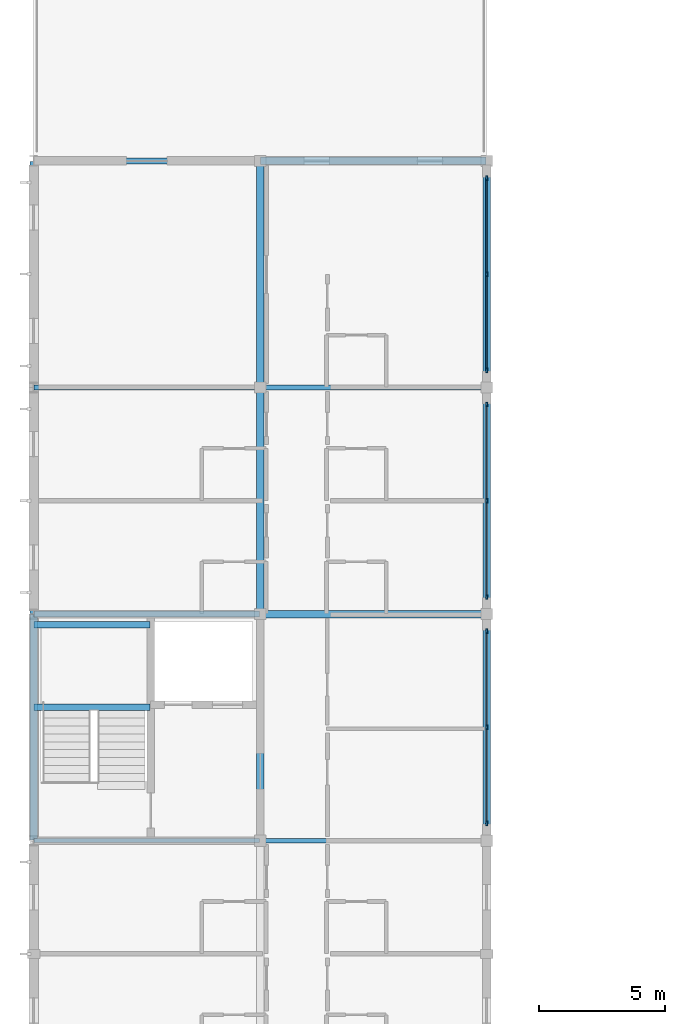
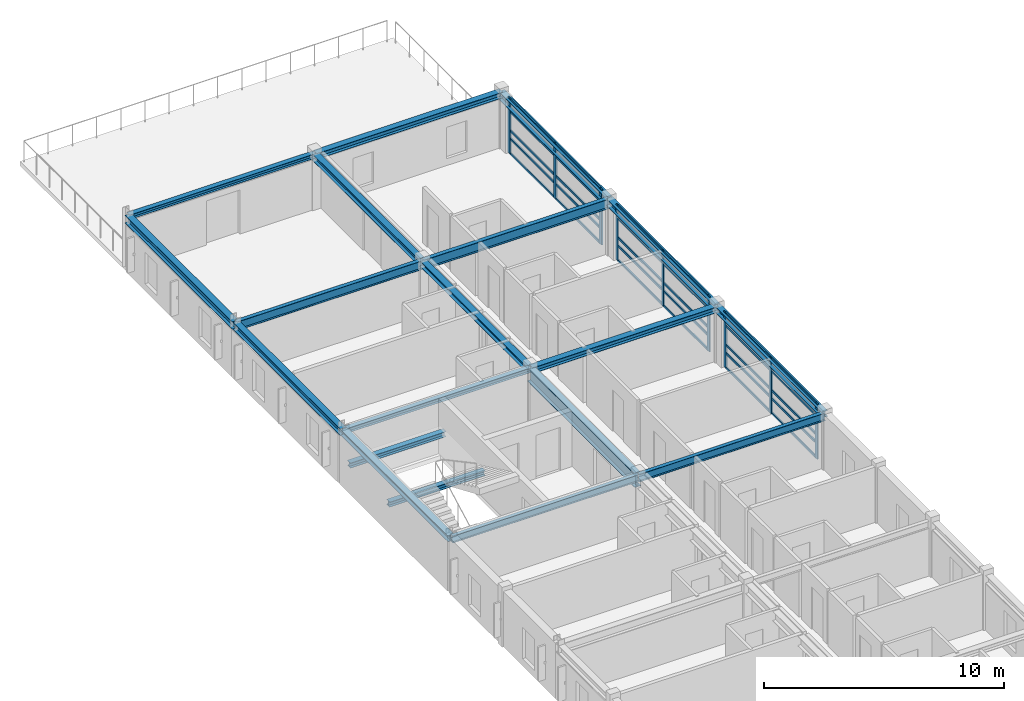
# One storey, part 6 of 20: 39 members, 19 beams, 3 elements without a shape of their own.
"""IFC4 building model written with IfcOpenShell, lengths in metres."""

import ifcopenshell
import ifcopenshell.guid

model = None  # the IFC model being written
_history = None  # IfcOwnerHistory: only IFC2X3 demands one
_inside = {}  # id of a spatial element -> (the spatial element, [elements in it])
_under = {}  # id of a project, library or spatial element -> (it, [spatial elements below it])
_declared = {}  # id of a project -> (the project, [libraries it declares])
_typed = {}  # id of a type object -> (the type object, [elements of that type])
_made_of = {}  # id of a material, layer set ... -> (it, [elements and type objects made of it])


def new_model(schema):
    """Start an empty IFC model of exactly this schema.

    Asked for "IFC4X3", IfcOpenShell would pick the latest addendum, in which some entities
    have other attributes; the version numbers below select the first issue.
    IFC2X3 requires an IfcOwnerHistory on every rooted entity: one is made here for all.
    """
    global model, _history
    if schema == "IFC4X3":
        model = ifcopenshell.file(schema_version=(4, 3, 0, 0))
    else:
        model = ifcopenshell.file(schema=schema)
    _inside.clear()
    _under.clear()
    _declared.clear()
    _typed.clear()
    _made_of.clear()
    _history = None
    if model.schema == "IFC2X3":
        org = make("IfcOrganization", Name="unknown")
        user = make(
            "IfcPersonAndOrganization",
            ThePerson=make("IfcPerson", FamilyName="unknown"),
            TheOrganization=org,
        )
        app = make(
            "IfcApplication",
            ApplicationDeveloper=org,
            Version="unknown",
            ApplicationFullName="unknown",
            ApplicationIdentifier="unknown",
        )
        _history = make(
            "IfcOwnerHistory",
            OwningUser=user,
            OwningApplication=app,
            ChangeAction="ADDED",
            CreationDate=0,
        )
    return model


def make(cls, **values):
    """One entity of the class cls with the attributes given. An attribute that is None is left unset."""
    return model.create_entity(
        cls, **{name: value for name, value in values.items() if value is not None}
    )


def rooted(cls, **values):
    """An entity with a GlobalId (a new one), such as an element, a storey or a relation."""
    return make(cls, GlobalId=ifcopenshell.guid.new(), OwnerHistory=_history, **values)


def si_unit(unit_type, name, prefix=None):
    """IfcSIUnit, for example si_unit("LENGTHUNIT", "METRE", prefix="MILLI")."""
    return make("IfcSIUnit", UnitType=unit_type, Prefix=prefix, Name=name)


def assignment(units):
    """IfcUnitAssignment: the units of a project."""
    return None if units is None else make("IfcUnitAssignment", Units=units)


def point(xyz):
    """IfcCartesianPoint."""
    return None if xyz is None else make("IfcCartesianPoint", Coordinates=xyz)


def direction(xyz):
    """IfcDirection."""
    return None if xyz is None else make("IfcDirection", DirectionRatios=xyz)


def frame(location, z_axis=None, x_axis=None):
    """IfcAxis2Placement3D, a coordinate frame: its origin and axes. An axis left out is left unset."""
    return make(
        "IfcAxis2Placement3D",
        Location=point(location),
        Axis=direction(z_axis),
        RefDirection=direction(x_axis),
    )


def frame_2d(location, x_axis=None):
    """IfcAxis2Placement2D, a coordinate frame in the plane: its origin and x axis."""
    return make(
        "IfcAxis2Placement2D", Location=point(location), RefDirection=direction(x_axis)
    )


def origin():
    """The frame at (0, 0, 0) with its axes left unset."""
    return frame((0.0, 0.0, 0.0))


def origin_2d():
    """The frame at (0, 0) in the plane with its x axis left unset."""
    return frame_2d((0.0, 0.0))


def place(relative_to, where):
    """IfcLocalPlacement: puts the frame where relative to a parent placement (None: the world)."""
    return make(
        "IfcLocalPlacement", PlacementRelTo=relative_to, RelativePlacement=where
    )


def context(
    kind, dimensions, precision=None, world=None, true_north=None, identifier=None
):
    """IfcGeometricRepresentationContext, for example the 3D "Model" context."""
    return make(
        "IfcGeometricRepresentationContext",
        ContextIdentifier=identifier,
        ContextType=kind,
        CoordinateSpaceDimension=dimensions,
        Precision=precision,
        WorldCoordinateSystem=world,
        TrueNorth=true_north,
    )


def subcontext(parent, identifier, kind, view, scale=None):
    """IfcGeometricRepresentationSubContext, for example "Body" below "Model"."""
    return make(
        "IfcGeometricRepresentationSubContext",
        ContextIdentifier=identifier,
        ContextType=kind,
        ParentContext=parent,
        TargetScale=scale,
        TargetView=view,
    )


def project(units=None, contexts=None):
    """IfcProject with its units and contexts."""
    return rooted(
        "IfcProject",
        Name="project",
        RepresentationContexts=contexts,
        UnitsInContext=assignment(units),
    )


def spatial(cls, under=None, at=None, **own):
    """A site, building, storey or space (cls), placed at a placement, below another one or the project."""
    s = rooted(cls, ObjectPlacement=at, **own)
    if under is not None:
        _under.setdefault(under.id(), (under, []))[1].append(s)
    return s


def profile(cls, at=None, kind="AREA", **sizes):
    """A parametric profile (cls). Its sizes go by their IFC names, for example OverallWidth=200.0."""
    return make(cls, ProfileType=kind, Position=at, **sizes)


def rectangle(**sizes):
    """IfcRectangleProfileDef."""
    return profile("IfcRectangleProfileDef", **sizes)


def i_section(**sizes):
    """IfcIShapeProfileDef."""
    return profile("IfcIShapeProfileDef", **sizes)


def extrude(swept, where, along, depth):
    """IfcExtrudedAreaSolid: the profile swept, set in the frame where, extruded along a direction by depth."""
    return make(
        "IfcExtrudedAreaSolid",
        SweptArea=swept,
        Position=where,
        ExtrudedDirection=direction(along),
        Depth=depth,
    )


def shape(context_of_items, identifier, shape_type, items):
    """IfcShapeRepresentation: the items that make up one representation, for example the "Body"."""
    return make(
        "IfcShapeRepresentation",
        ContextOfItems=context_of_items,
        RepresentationIdentifier=identifier,
        RepresentationType=shape_type,
        Items=items,
    )


def material(Name=None, Category=None):
    """IfcMaterial."""
    return make("IfcMaterial", Name=Name, Category=Category)


def material_profile(
    of_material, cross_section, Name=None, Category=None, Priority=None
):
    """IfcMaterialProfile: a cross section and its material."""
    return make(
        "IfcMaterialProfile",
        Name=Name,
        Material=of_material,
        Profile=cross_section,
        Priority=Priority,
        Category=Category,
    )


def profile_set(profiles, Name=None, composite=None):
    """IfcMaterialProfileSet."""
    return make(
        "IfcMaterialProfileSet",
        Name=Name,
        MaterialProfiles=profiles,
        CompositeProfile=composite,
    )


def made_of(thing, what):
    """Note that an element or type object is made of a material, layer set ...; save() writes the relation."""
    if what is not None:
        _made_of.setdefault(what.id(), (what, []))[1].append(thing)
    return thing


def type_object(cls, material=None, **own):
    """A type object (cls), such as IfcWallType, which elements share."""
    return made_of(rooted(cls, **own), material)


def element(
    cls,
    number,
    at=None,
    inside=None,
    cuts=None,
    type_object=None,
    material=None,
    context=None,
    identifier="Body",
    shape_type=None,
    held_by="IfcProductDefinitionShape",
    body=None,
    shapes=None,
    **own,
):
    """One element of the class cls, such as IfcWall. Its Tag is "e" and its number.

    at: its placement. inside: the storey or other place that contains it. cuts: it is an
    opening in that element (IfcRelVoidsElement). A single representation is given by context,
    identifier, shape_type and body (its items); several are given by shapes. held_by: the class
    of the entity that holds the representations. save() writes the other relations.
    """
    e = rooted(cls, Tag="e%d" % number, ObjectPlacement=at, **own)
    if body is not None:
        shapes = [shape(context, identifier, shape_type, body)]
    if shapes is not None:
        e.Representation = make(held_by, Representations=shapes)
    if inside is not None:
        _inside.setdefault(inside.id(), (inside, []))[1].append(e)
    if cuts is not None:
        rooted(
            "IfcRelVoidsElement", RelatingBuildingElement=cuts, RelatedOpeningElement=e
        )
    if type_object is not None:
        _typed.setdefault(type_object.id(), (type_object, []))[1].append(e)
    return made_of(e, material)


def aggregate(whole, parts):
    """IfcRelAggregates: a whole, such as a stair, and the parts it consists of."""
    return rooted("IfcRelAggregates", RelatingObject=whole, RelatedObjects=parts)


def save(model, path):
    """Write the relations noted so far, then the file.

    IfcRelAggregates (storeys below a building ...), IfcRelContainedInSpatialStructure (elements
    in a storey), IfcRelDefinesByType, IfcRelAssociatesMaterial and IfcRelDeclares: one each for
    every whole, place, type object, material and project.
    """
    for whole, parts in _under.values():
        aggregate(whole, parts)
    for where, things in _inside.values():
        rooted(
            "IfcRelContainedInSpatialStructure",
            RelatedElements=things,
            RelatingStructure=where,
        )
    for kind, things in _typed.values():
        rooted("IfcRelDefinesByType", RelatedObjects=things, RelatingType=kind)
    for what, things in _made_of.values():
        rooted("IfcRelAssociatesMaterial", RelatedObjects=things, RelatingMaterial=what)
    for by, libraries in _declared.values():
        rooted("IfcRelDeclares", RelatingContext=by, RelatedDefinitions=libraries)
    model.write(path)


model = new_model("IFC4")

# Units and contexts
model_context = context("Model", 3, precision=1e-05, world=origin(), true_north=direction((0.0, 1.0)))
body_context = subcontext(model_context, "Body", "Model", "MODEL_VIEW")
ifc_project = project(units=[si_unit("LENGTHUNIT", "METRE"), si_unit("AREAUNIT", "SQUARE_METRE"), si_unit("VOLUMEUNIT", "CUBIC_METRE"), si_unit("PLANEANGLEUNIT", "RADIAN"), si_unit("MASSUNIT", "GRAM", prefix="KILO")], contexts=[model_context])

# Site, building, storey
site_placement = place(None, origin())
site = spatial("IfcSite", under=ifc_project, at=site_placement, CompositionType="ELEMENT")
building_placement = place(site_placement, origin())
building = spatial("IfcBuilding", under=site, at=building_placement, Name="Palais des Congres Ocreval", CompositionType="ELEMENT")
storey_placement = place(building_placement, frame((0.0, 0.0, 20.639892578125)))
storey = spatial("IfcBuildingStorey", under=building, at=storey_placement, Name="L06", CompositionType="ELEMENT", Elevation=20.639892578125)

# Beams
ifc_material_1 = material(Name="Steel S355", Category="steel")
ifc_material_profile_1 = material_profile(ifc_material_1, i_section(OverallWidth=0.169921875, OverallDepth=0.360107421875, WebThickness=0.008056640625, FlangeThickness=0.0126953125, at=origin_2d()), Name="IPE 360")
ifc_profile_set_1 = profile_set([ifc_material_profile_1], Name="Steel S355")
beam_type_1 = type_object("IfcBeamType", Name="Composite Beam IPE 360 Steel S355", PredefinedType="BEAM", material=ifc_profile_set_1)
beam_1_placement = place(storey_placement, frame((0.02001953125, 36.0, 2.60009765625), z_axis=(1.0, 0.0, 0.0), x_axis=(0.0, 1.0, 0.0)))
element("IfcBeam", 1, at=beam_1_placement, inside=storey, type_object=beam_type_1, Name="Beam B01 L06", PredefinedType="BEAM", context=body_context, shape_type="SweptSolid", body=[
    extrude(i_section(OverallWidth=0.169921875, OverallDepth=0.360107421875, WebThickness=0.008056640625, FlangeThickness=0.0126953125, at=origin_2d()), origin(), (0.0, 0.0, 1.0), 8.9599609375),
])
ifc_material_profile_2 = material_profile(ifc_material_1, i_section(OverallWidth=0.179931640625, OverallDepth=0.39990234375, WebThickness=0.008544921875, FlangeThickness=0.013427734375, at=origin_2d()), Name="IPE 400")
ifc_profile_set_2 = profile_set([ifc_material_profile_2], Name="Steel S355")
beam_type_2 = type_object("IfcBeamType", Name="Composite Beam IPE 400 Steel S355", PredefinedType="BEAM", material=ifc_profile_set_2)
beam_2_placement = place(storey_placement, frame((9.02001953125, 36.0, 2.580078125), z_axis=(1.0, 0.0, 0.0), x_axis=(0.0, 1.0, 0.0)))
element("IfcBeam", 2, at=beam_2_placement, inside=storey, type_object=beam_type_2, Name="Beam B02 L06", PredefinedType="BEAM", context=body_context, shape_type="SweptSolid", body=[
    extrude(i_section(OverallWidth=0.179931640625, OverallDepth=0.39990234375, WebThickness=0.008544921875, FlangeThickness=0.013427734375, at=origin_2d()), origin(), (0.0, 0.0, 1.0), 8.9599609375),
])
ifc_material_profile_3 = material_profile(ifc_material_1, i_section(OverallWidth=0.18994140625, OverallDepth=0.449951171875, WebThickness=0.009521484375, FlangeThickness=0.0146484375, at=origin_2d()), Name="IPE 450")
ifc_profile_set_3 = profile_set([ifc_material_profile_3], Name="Steel S355")
beam_type_3 = type_object("IfcBeamType", Name="Composite Beam IPE 450 Steel S355", PredefinedType="BEAM", material=ifc_profile_set_3)
beam_3_placement = place(storey_placement, frame((0.02001953125, 54.0, 2.55517578125), z_axis=(1.0, 0.0, 0.0), x_axis=(0.0, 1.0, 0.0)))
element("IfcBeam", 3, at=beam_3_placement, inside=storey, type_object=beam_type_3, Name="Beam B03 L06", PredefinedType="BEAM", context=body_context, shape_type="SweptSolid", body=[
    extrude(i_section(OverallWidth=0.18994140625, OverallDepth=0.449951171875, WebThickness=0.009521484375, FlangeThickness=0.0146484375, at=origin_2d()), origin(), (0.0, 0.0, 1.0), 8.9599609375),
])
ifc_material_profile_4 = material_profile(ifc_material_1, i_section(OverallWidth=0.199951171875, OverallDepth=0.5, WebThickness=0.01025390625, FlangeThickness=0.01611328125, at=origin_2d()), Name="IPE 500")
ifc_profile_set_4 = profile_set([ifc_material_profile_4], Name="Steel S355")
beam_type_4 = type_object("IfcBeamType", Name="Composite Beam IPE 500 Steel S355", PredefinedType="BEAM", material=ifc_profile_set_4)
beam_4_placement = place(storey_placement, frame((9.02001953125, 54.0, 2.530029296875), z_axis=(1.0, 0.0, 0.0), x_axis=(0.0, 1.0, 0.0)))
element("IfcBeam", 4, at=beam_4_placement, inside=storey, type_object=beam_type_4, Name="Beam B04 L06", PredefinedType="BEAM", context=body_context, shape_type="SweptSolid", body=[
    extrude(i_section(OverallWidth=0.199951171875, OverallDepth=0.5, WebThickness=0.01025390625, FlangeThickness=0.01611328125, at=origin_2d()), origin(), (0.0, 0.0, 1.0), 8.9599609375),
])

# Curtain wall, members
ifc_material_2 = material(Name="Anodized bronze aluminium and low-E glass", Category="glass")
curtain_wall_type = type_object("IfcCurtainWallType", Name="Unitised Curtain Wall 7900x2820", PredefinedType="USERDEFINED", material=ifc_material_2)
curtain_wall_1_placement = place(storey_placement, origin())
curtain_wall_1 = element("IfcCurtainWall", 5, at=curtain_wall_1_placement, inside=storey, type_object=curtain_wall_type, Name="Unitised Curtain Wall CW04 L06", ObjectType="UNITISED CURTAIN WALL", PredefinedType="USERDEFINED")
ifc_material_3 = material(Name="Anodized bronze aluminium", Category="aluminium")
ifc_material_profile_5 = material_profile(ifc_material_3, rectangle(XDim=0.06494140625, YDim=0.179931640625, at=origin_2d()), Name="ALU 65x180")
ifc_profile_set_5 = profile_set([ifc_material_profile_5], Name="Anodized bronze aluminium")
member_type_1 = type_object("IfcMemberType", Name="Curtain Wall Mullion ALU 65x180", PredefinedType="MULLION", material=ifc_profile_set_5)
member_1_placement = place(storey_placement, frame((18.0, 53.3173828125, 0.0), z_axis=(0.0, 0.0, 1.0), x_axis=(1.0, 0.0, 0.0)))
member_1 = element("IfcMember", 6, at=member_1_placement, type_object=member_type_1, Name="Curtain Wall Mullion ML03", PredefinedType="MULLION", context=body_context, shape_type="SweptSolid", body=[
    extrude(rectangle(XDim=0.06494140625, YDim=0.179931640625, at=origin_2d()), origin(), (0.0, 0.0, 1.0), 2.820068359375),
])
member_2_placement = place(storey_placement, frame((18.0, 49.5, 0.0), z_axis=(0.0, 0.0, 1.0), x_axis=(1.0, 0.0, 0.0)))
member_2 = element("IfcMember", 7, at=member_2_placement, type_object=member_type_1, Name="Curtain Wall Mullion ML03", PredefinedType="MULLION", context=body_context, shape_type="SweptSolid", body=[
    extrude(rectangle(XDim=0.06494140625, YDim=0.179931640625, at=origin_2d()), origin(), (0.0, 0.0, 1.0), 2.820068359375),
])
member_3_placement = place(storey_placement, frame((18.0, 45.6826171875, 0.0), z_axis=(0.0, 0.0, 1.0), x_axis=(1.0, 0.0, 0.0)))
member_3 = element("IfcMember", 8, at=member_3_placement, type_object=member_type_1, Name="Curtain Wall Mullion ML03", PredefinedType="MULLION", context=body_context, shape_type="SweptSolid", body=[
    extrude(rectangle(XDim=0.06494140625, YDim=0.179931640625, at=origin_2d()), origin(), (0.0, 0.0, 1.0), 2.820068359375),
])

curtain_wall_2_placement = place(storey_placement, origin())
curtain_wall_2 = element("IfcCurtainWall", 9, at=curtain_wall_2_placement, inside=storey, type_object=curtain_wall_type, Name="Unitised Curtain Wall CW04 L06", ObjectType="UNITISED CURTAIN WALL", PredefinedType="USERDEFINED")
ifc_material_profile_6 = material_profile(ifc_material_3, rectangle(XDim=0.070068359375, YDim=0.2099609375, at=origin_2d()), Name="ALU 70x210")
ifc_profile_set_6 = profile_set([ifc_material_profile_6], Name="Anodized bronze aluminium")
member_type_2 = type_object("IfcMemberType", Name="Curtain Wall Mullion ALU 70x210", PredefinedType="MULLION", material=ifc_profile_set_6)
member_4_placement = place(storey_placement, frame((18.0, 62.31494140625, 0.0), z_axis=(0.0, 0.0, 1.0), x_axis=(1.0, 0.0, 0.0)))
member_4 = element("IfcMember", 10, at=member_4_placement, type_object=member_type_2, Name="Curtain Wall Mullion ML02", PredefinedType="MULLION", context=body_context, shape_type="SweptSolid", body=[
    extrude(rectangle(XDim=0.070068359375, YDim=0.2099609375, at=origin_2d()), origin(), (0.0, 0.0, 1.0), 2.820068359375),
])
member_5_placement = place(storey_placement, frame((18.0, 58.5, 0.0), z_axis=(0.0, 0.0, 1.0), x_axis=(1.0, 0.0, 0.0)))
member_5 = element("IfcMember", 11, at=member_5_placement, type_object=member_type_2, Name="Curtain Wall Mullion ML02", PredefinedType="MULLION", context=body_context, shape_type="SweptSolid", body=[
    extrude(rectangle(XDim=0.070068359375, YDim=0.2099609375, at=origin_2d()), origin(), (0.0, 0.0, 1.0), 2.820068359375),
])
member_6_placement = place(storey_placement, frame((18.0, 54.68505859375, 0.0), z_axis=(0.0, 0.0, 1.0), x_axis=(1.0, 0.0, 0.0)))
member_6 = element("IfcMember", 12, at=member_6_placement, type_object=member_type_2, Name="Curtain Wall Mullion ML02", PredefinedType="MULLION", context=body_context, shape_type="SweptSolid", body=[
    extrude(rectangle(XDim=0.070068359375, YDim=0.2099609375, at=origin_2d()), origin(), (0.0, 0.0, 1.0), 2.820068359375),
])

curtain_wall_3_placement = place(storey_placement, origin())
curtain_wall_3 = element("IfcCurtainWall", 13, at=curtain_wall_3_placement, inside=storey, type_object=curtain_wall_type, Name="Unitised Curtain Wall CW04 L06", ObjectType="UNITISED CURTAIN WALL", PredefinedType="USERDEFINED")
member_7_placement = place(storey_placement, frame((18.0, 44.31494140625, 0.0), z_axis=(0.0, 0.0, 1.0), x_axis=(1.0, 0.0, 0.0)))
member_7 = element("IfcMember", 14, at=member_7_placement, type_object=member_type_2, Name="Curtain Wall Mullion ML02", PredefinedType="MULLION", context=body_context, shape_type="SweptSolid", body=[
    extrude(rectangle(XDim=0.070068359375, YDim=0.2099609375, at=origin_2d()), origin(), (0.0, 0.0, 1.0), 2.820068359375),
])
member_8_placement = place(storey_placement, frame((18.0, 40.5, 0.0), z_axis=(0.0, 0.0, 1.0), x_axis=(1.0, 0.0, 0.0)))
member_8 = element("IfcMember", 15, at=member_8_placement, type_object=member_type_2, Name="Curtain Wall Mullion ML02", PredefinedType="MULLION", context=body_context, shape_type="SweptSolid", body=[
    extrude(rectangle(XDim=0.070068359375, YDim=0.2099609375, at=origin_2d()), origin(), (0.0, 0.0, 1.0), 2.820068359375),
])
member_9_placement = place(storey_placement, frame((18.0, 36.68505859375, 0.0), z_axis=(0.0, 0.0, 1.0), x_axis=(1.0, 0.0, 0.0)))
member_9 = element("IfcMember", 16, at=member_9_placement, type_object=member_type_2, Name="Curtain Wall Mullion ML02", PredefinedType="MULLION", context=body_context, shape_type="SweptSolid", body=[
    extrude(rectangle(XDim=0.070068359375, YDim=0.2099609375, at=origin_2d()), origin(), (0.0, 0.0, 1.0), 2.820068359375),
])

# Member
ifc_material_profile_7 = material_profile(ifc_material_3, rectangle(XDim=0.06005859375, YDim=0.1201171875, at=origin_2d()), Name="ALU 60x120")
ifc_profile_set_7 = profile_set([ifc_material_profile_7], Name="Anodized bronze aluminium")
member_type_3 = type_object("IfcMemberType", Name="Curtain Wall Transom ALU 60x120", PredefinedType="USERDEFINED", material=ifc_profile_set_7)
member_10_placement = place(storey_placement, frame((18.0, 62.280029296875, 0.030029296875), z_axis=(0.0, -1.0, 0.0), x_axis=(1.0, 0.0, 0.0)))
member_10 = element("IfcMember", 17, at=member_10_placement, type_object=member_type_3, Name="Curtain Wall Transom TR02", ObjectType="TRANSOM", PredefinedType="USERDEFINED", context=body_context, shape_type="SweptSolid", body=[
    extrude(rectangle(XDim=0.06005859375, YDim=0.1201171875, at=origin_2d()), origin(), (0.0, 0.0, 1.0), 3.7451171875),
])

member_11_placement = place(storey_placement, frame((18.0, 62.280029296875, 0.780029296875), z_axis=(0.0, -1.0, 0.0), x_axis=(1.0, 0.0, 0.0)))
member_11 = element("IfcMember", 18, at=member_11_placement, type_object=member_type_3, Name="Curtain Wall Transom TR02", ObjectType="TRANSOM", PredefinedType="USERDEFINED", context=body_context, shape_type="SweptSolid", body=[
    extrude(rectangle(XDim=0.06005859375, YDim=0.1201171875, at=origin_2d()), origin(), (0.0, 0.0, 1.0), 3.7451171875),
])

member_12_placement = place(storey_placement, frame((18.0, 62.280029296875, 1.193603515625), z_axis=(0.0, -1.0, 0.0), x_axis=(1.0, 0.0, 0.0)))
member_12 = element("IfcMember", 19, at=member_12_placement, type_object=member_type_3, Name="Curtain Wall Transom TR02", ObjectType="TRANSOM", PredefinedType="USERDEFINED", context=body_context, shape_type="SweptSolid", body=[
    extrude(rectangle(XDim=0.06005859375, YDim=0.1201171875, at=origin_2d()), origin(), (0.0, 0.0, 1.0), 3.7451171875),
])

member_13_placement = place(storey_placement, frame((18.0, 62.280029296875, 2.170166015625), z_axis=(0.0, -1.0, 0.0), x_axis=(1.0, 0.0, 0.0)))
member_13 = element("IfcMember", 20, at=member_13_placement, type_object=member_type_3, Name="Curtain Wall Transom TR02", ObjectType="TRANSOM", PredefinedType="USERDEFINED", context=body_context, shape_type="SweptSolid", body=[
    extrude(rectangle(XDim=0.06005859375, YDim=0.1201171875, at=origin_2d()), origin(), (0.0, 0.0, 1.0), 3.7451171875),
])

member_14_placement = place(storey_placement, frame((18.0, 62.280029296875, 2.7900390625), z_axis=(0.0, -1.0, 0.0), x_axis=(1.0, 0.0, 0.0)))
member_14 = element("IfcMember", 21, at=member_14_placement, type_object=member_type_3, Name="Curtain Wall Transom TR02", ObjectType="TRANSOM", PredefinedType="USERDEFINED", context=body_context, shape_type="SweptSolid", body=[
    extrude(rectangle(XDim=0.06005859375, YDim=0.1201171875, at=origin_2d()), origin(), (0.0, 0.0, 1.0), 3.7451171875),
])

member_15_placement = place(storey_placement, frame((18.0, 58.465087890625, 0.030029296875), z_axis=(0.0, -1.0, 0.0), x_axis=(1.0, 0.0, 0.0)))
member_15 = element("IfcMember", 22, at=member_15_placement, type_object=member_type_3, Name="Curtain Wall Transom TR02", ObjectType="TRANSOM", PredefinedType="USERDEFINED", context=body_context, shape_type="SweptSolid", body=[
    extrude(rectangle(XDim=0.06005859375, YDim=0.1201171875, at=origin_2d()), origin(), (0.0, 0.0, 1.0), 3.7451171875),
])

member_16_placement = place(storey_placement, frame((18.0, 58.465087890625, 0.780029296875), z_axis=(0.0, -1.0, 0.0), x_axis=(1.0, 0.0, 0.0)))
member_16 = element("IfcMember", 23, at=member_16_placement, type_object=member_type_3, Name="Curtain Wall Transom TR02", ObjectType="TRANSOM", PredefinedType="USERDEFINED", context=body_context, shape_type="SweptSolid", body=[
    extrude(rectangle(XDim=0.06005859375, YDim=0.1201171875, at=origin_2d()), origin(), (0.0, 0.0, 1.0), 3.7451171875),
])

member_17_placement = place(storey_placement, frame((18.0, 58.465087890625, 1.193603515625), z_axis=(0.0, -1.0, 0.0), x_axis=(1.0, 0.0, 0.0)))
member_17 = element("IfcMember", 24, at=member_17_placement, type_object=member_type_3, Name="Curtain Wall Transom TR02", ObjectType="TRANSOM", PredefinedType="USERDEFINED", context=body_context, shape_type="SweptSolid", body=[
    extrude(rectangle(XDim=0.06005859375, YDim=0.1201171875, at=origin_2d()), origin(), (0.0, 0.0, 1.0), 3.7451171875),
])

member_18_placement = place(storey_placement, frame((18.0, 58.465087890625, 2.170166015625), z_axis=(0.0, -1.0, 0.0), x_axis=(1.0, 0.0, 0.0)))
member_18 = element("IfcMember", 25, at=member_18_placement, type_object=member_type_3, Name="Curtain Wall Transom TR02", ObjectType="TRANSOM", PredefinedType="USERDEFINED", context=body_context, shape_type="SweptSolid", body=[
    extrude(rectangle(XDim=0.06005859375, YDim=0.1201171875, at=origin_2d()), origin(), (0.0, 0.0, 1.0), 3.7451171875),
])

member_19_placement = place(storey_placement, frame((18.0, 58.465087890625, 2.7900390625), z_axis=(0.0, -1.0, 0.0), x_axis=(1.0, 0.0, 0.0)))
member_19 = element("IfcMember", 26, at=member_19_placement, type_object=member_type_3, Name="Curtain Wall Transom TR02", ObjectType="TRANSOM", PredefinedType="USERDEFINED", context=body_context, shape_type="SweptSolid", body=[
    extrude(rectangle(XDim=0.06005859375, YDim=0.1201171875, at=origin_2d()), origin(), (0.0, 0.0, 1.0), 3.7451171875),
])

aggregate(curtain_wall_2, [member_4, member_5, member_6, member_10, member_11, member_12, member_13, member_14, member_15, member_16, member_17, member_18, member_19])

member_20_placement = place(storey_placement, frame((18.0, 53.284912109375, 0.030029296875), z_axis=(0.0, -1.0, 0.0), x_axis=(1.0, 0.0, 0.0)))
member_20 = element("IfcMember", 27, at=member_20_placement, type_object=member_type_3, Name="Curtain Wall Transom TR02", ObjectType="TRANSOM", PredefinedType="USERDEFINED", context=body_context, shape_type="SweptSolid", body=[
    extrude(rectangle(XDim=0.06005859375, YDim=0.1201171875, at=origin_2d()), origin(), (0.0, 0.0, 1.0), 3.75244140625),
])

member_21_placement = place(storey_placement, frame((18.0, 53.284912109375, 0.780029296875), z_axis=(0.0, -1.0, 0.0), x_axis=(1.0, 0.0, 0.0)))
member_21 = element("IfcMember", 28, at=member_21_placement, type_object=member_type_3, Name="Curtain Wall Transom TR02", ObjectType="TRANSOM", PredefinedType="USERDEFINED", context=body_context, shape_type="SweptSolid", body=[
    extrude(rectangle(XDim=0.06005859375, YDim=0.1201171875, at=origin_2d()), origin(), (0.0, 0.0, 1.0), 3.75244140625),
])

member_22_placement = place(storey_placement, frame((18.0, 53.284912109375, 1.193603515625), z_axis=(0.0, -1.0, 0.0), x_axis=(1.0, 0.0, 0.0)))
member_22 = element("IfcMember", 29, at=member_22_placement, type_object=member_type_3, Name="Curtain Wall Transom TR02", ObjectType="TRANSOM", PredefinedType="USERDEFINED", context=body_context, shape_type="SweptSolid", body=[
    extrude(rectangle(XDim=0.06005859375, YDim=0.1201171875, at=origin_2d()), origin(), (0.0, 0.0, 1.0), 3.75244140625),
])

member_23_placement = place(storey_placement, frame((18.0, 53.284912109375, 2.170166015625), z_axis=(0.0, -1.0, 0.0), x_axis=(1.0, 0.0, 0.0)))
member_23 = element("IfcMember", 30, at=member_23_placement, type_object=member_type_3, Name="Curtain Wall Transom TR02", ObjectType="TRANSOM", PredefinedType="USERDEFINED", context=body_context, shape_type="SweptSolid", body=[
    extrude(rectangle(XDim=0.06005859375, YDim=0.1201171875, at=origin_2d()), origin(), (0.0, 0.0, 1.0), 3.75244140625),
])

member_24_placement = place(storey_placement, frame((18.0, 53.284912109375, 2.7900390625), z_axis=(0.0, -1.0, 0.0), x_axis=(1.0, 0.0, 0.0)))
member_24 = element("IfcMember", 31, at=member_24_placement, type_object=member_type_3, Name="Curtain Wall Transom TR02", ObjectType="TRANSOM", PredefinedType="USERDEFINED", context=body_context, shape_type="SweptSolid", body=[
    extrude(rectangle(XDim=0.06005859375, YDim=0.1201171875, at=origin_2d()), origin(), (0.0, 0.0, 1.0), 3.75244140625),
])

member_25_placement = place(storey_placement, frame((18.0, 49.467529296875, 0.030029296875), z_axis=(0.0, -1.0, 0.0), x_axis=(1.0, 0.0, 0.0)))
member_25 = element("IfcMember", 32, at=member_25_placement, type_object=member_type_3, Name="Curtain Wall Transom TR02", ObjectType="TRANSOM", PredefinedType="USERDEFINED", context=body_context, shape_type="SweptSolid", body=[
    extrude(rectangle(XDim=0.06005859375, YDim=0.1201171875, at=origin_2d()), origin(), (0.0, 0.0, 1.0), 3.75244140625),
])

member_26_placement = place(storey_placement, frame((18.0, 49.467529296875, 0.780029296875), z_axis=(0.0, -1.0, 0.0), x_axis=(1.0, 0.0, 0.0)))
member_26 = element("IfcMember", 33, at=member_26_placement, type_object=member_type_3, Name="Curtain Wall Transom TR02", ObjectType="TRANSOM", PredefinedType="USERDEFINED", context=body_context, shape_type="SweptSolid", body=[
    extrude(rectangle(XDim=0.06005859375, YDim=0.1201171875, at=origin_2d()), origin(), (0.0, 0.0, 1.0), 3.75244140625),
])

member_27_placement = place(storey_placement, frame((18.0, 49.467529296875, 1.193603515625), z_axis=(0.0, -1.0, 0.0), x_axis=(1.0, 0.0, 0.0)))
member_27 = element("IfcMember", 34, at=member_27_placement, type_object=member_type_3, Name="Curtain Wall Transom TR02", ObjectType="TRANSOM", PredefinedType="USERDEFINED", context=body_context, shape_type="SweptSolid", body=[
    extrude(rectangle(XDim=0.06005859375, YDim=0.1201171875, at=origin_2d()), origin(), (0.0, 0.0, 1.0), 3.75244140625),
])

member_28_placement = place(storey_placement, frame((18.0, 49.467529296875, 2.170166015625), z_axis=(0.0, -1.0, 0.0), x_axis=(1.0, 0.0, 0.0)))
member_28 = element("IfcMember", 35, at=member_28_placement, type_object=member_type_3, Name="Curtain Wall Transom TR02", ObjectType="TRANSOM", PredefinedType="USERDEFINED", context=body_context, shape_type="SweptSolid", body=[
    extrude(rectangle(XDim=0.06005859375, YDim=0.1201171875, at=origin_2d()), origin(), (0.0, 0.0, 1.0), 3.75244140625),
])

member_29_placement = place(storey_placement, frame((18.0, 49.467529296875, 2.7900390625), z_axis=(0.0, -1.0, 0.0), x_axis=(1.0, 0.0, 0.0)))
member_29 = element("IfcMember", 36, at=member_29_placement, type_object=member_type_3, Name="Curtain Wall Transom TR02", ObjectType="TRANSOM", PredefinedType="USERDEFINED", context=body_context, shape_type="SweptSolid", body=[
    extrude(rectangle(XDim=0.06005859375, YDim=0.1201171875, at=origin_2d()), origin(), (0.0, 0.0, 1.0), 3.75244140625),
])

aggregate(curtain_wall_1, [member_1, member_2, member_3, member_20, member_21, member_22, member_23, member_24, member_25, member_26, member_27, member_28, member_29])

member_30_placement = place(storey_placement, frame((18.0, 44.280029296875, 0.030029296875), z_axis=(0.0, -1.0, 0.0), x_axis=(1.0, 0.0, 0.0)))
member_30 = element("IfcMember", 37, at=member_30_placement, type_object=member_type_3, Name="Curtain Wall Transom TR02", ObjectType="TRANSOM", PredefinedType="USERDEFINED", context=body_context, shape_type="SweptSolid", body=[
    extrude(rectangle(XDim=0.06005859375, YDim=0.1201171875, at=origin_2d()), origin(), (0.0, 0.0, 1.0), 3.7451171875),
])

member_31_placement = place(storey_placement, frame((18.0, 44.280029296875, 0.780029296875), z_axis=(0.0, -1.0, 0.0), x_axis=(1.0, 0.0, 0.0)))
member_31 = element("IfcMember", 38, at=member_31_placement, type_object=member_type_3, Name="Curtain Wall Transom TR02", ObjectType="TRANSOM", PredefinedType="USERDEFINED", context=body_context, shape_type="SweptSolid", body=[
    extrude(rectangle(XDim=0.06005859375, YDim=0.1201171875, at=origin_2d()), origin(), (0.0, 0.0, 1.0), 3.7451171875),
])

member_32_placement = place(storey_placement, frame((18.0, 44.280029296875, 1.193603515625), z_axis=(0.0, -1.0, 0.0), x_axis=(1.0, 0.0, 0.0)))
member_32 = element("IfcMember", 39, at=member_32_placement, type_object=member_type_3, Name="Curtain Wall Transom TR02", ObjectType="TRANSOM", PredefinedType="USERDEFINED", context=body_context, shape_type="SweptSolid", body=[
    extrude(rectangle(XDim=0.06005859375, YDim=0.1201171875, at=origin_2d()), origin(), (0.0, 0.0, 1.0), 3.7451171875),
])

member_33_placement = place(storey_placement, frame((18.0, 44.280029296875, 2.170166015625), z_axis=(0.0, -1.0, 0.0), x_axis=(1.0, 0.0, 0.0)))
member_33 = element("IfcMember", 40, at=member_33_placement, type_object=member_type_3, Name="Curtain Wall Transom TR02", ObjectType="TRANSOM", PredefinedType="USERDEFINED", context=body_context, shape_type="SweptSolid", body=[
    extrude(rectangle(XDim=0.06005859375, YDim=0.1201171875, at=origin_2d()), origin(), (0.0, 0.0, 1.0), 3.7451171875),
])

member_34_placement = place(storey_placement, frame((18.0, 44.280029296875, 2.7900390625), z_axis=(0.0, -1.0, 0.0), x_axis=(1.0, 0.0, 0.0)))
member_34 = element("IfcMember", 41, at=member_34_placement, type_object=member_type_3, Name="Curtain Wall Transom TR02", ObjectType="TRANSOM", PredefinedType="USERDEFINED", context=body_context, shape_type="SweptSolid", body=[
    extrude(rectangle(XDim=0.06005859375, YDim=0.1201171875, at=origin_2d()), origin(), (0.0, 0.0, 1.0), 3.7451171875),
])

member_35_placement = place(storey_placement, frame((18.0, 40.465087890625, 0.030029296875), z_axis=(0.0, -1.0, 0.0), x_axis=(1.0, 0.0, 0.0)))
member_35 = element("IfcMember", 42, at=member_35_placement, type_object=member_type_3, Name="Curtain Wall Transom TR02", ObjectType="TRANSOM", PredefinedType="USERDEFINED", context=body_context, shape_type="SweptSolid", body=[
    extrude(rectangle(XDim=0.06005859375, YDim=0.1201171875, at=origin_2d()), origin(), (0.0, 0.0, 1.0), 3.7451171875),
])

member_36_placement = place(storey_placement, frame((18.0, 40.465087890625, 0.780029296875), z_axis=(0.0, -1.0, 0.0), x_axis=(1.0, 0.0, 0.0)))
member_36 = element("IfcMember", 43, at=member_36_placement, type_object=member_type_3, Name="Curtain Wall Transom TR02", ObjectType="TRANSOM", PredefinedType="USERDEFINED", context=body_context, shape_type="SweptSolid", body=[
    extrude(rectangle(XDim=0.06005859375, YDim=0.1201171875, at=origin_2d()), origin(), (0.0, 0.0, 1.0), 3.7451171875),
])

member_37_placement = place(storey_placement, frame((18.0, 40.465087890625, 1.193603515625), z_axis=(0.0, -1.0, 0.0), x_axis=(1.0, 0.0, 0.0)))
member_37 = element("IfcMember", 44, at=member_37_placement, type_object=member_type_3, Name="Curtain Wall Transom TR02", ObjectType="TRANSOM", PredefinedType="USERDEFINED", context=body_context, shape_type="SweptSolid", body=[
    extrude(rectangle(XDim=0.06005859375, YDim=0.1201171875, at=origin_2d()), origin(), (0.0, 0.0, 1.0), 3.7451171875),
])

member_38_placement = place(storey_placement, frame((18.0, 40.465087890625, 2.170166015625), z_axis=(0.0, -1.0, 0.0), x_axis=(1.0, 0.0, 0.0)))
member_38 = element("IfcMember", 45, at=member_38_placement, type_object=member_type_3, Name="Curtain Wall Transom TR02", ObjectType="TRANSOM", PredefinedType="USERDEFINED", context=body_context, shape_type="SweptSolid", body=[
    extrude(rectangle(XDim=0.06005859375, YDim=0.1201171875, at=origin_2d()), origin(), (0.0, 0.0, 1.0), 3.7451171875),
])

member_39_placement = place(storey_placement, frame((18.0, 40.465087890625, 2.7900390625), z_axis=(0.0, -1.0, 0.0), x_axis=(1.0, 0.0, 0.0)))
member_39 = element("IfcMember", 46, at=member_39_placement, type_object=member_type_3, Name="Curtain Wall Transom TR02", ObjectType="TRANSOM", PredefinedType="USERDEFINED", context=body_context, shape_type="SweptSolid", body=[
    extrude(rectangle(XDim=0.06005859375, YDim=0.1201171875, at=origin_2d()), origin(), (0.0, 0.0, 1.0), 3.7451171875),
])

aggregate(curtain_wall_3, [member_7, member_8, member_9, member_30, member_31, member_32, member_33, member_34, member_35, member_36, member_37, member_38, member_39])

# Beams
ifc_material_profile_8 = material_profile(ifc_material_1, i_section(OverallWidth=0.260009765625, OverallDepth=0.260009765625, WebThickness=0.010009765625, FlangeThickness=0.017578125, at=origin_2d()), Name="HEB 260")
ifc_profile_set_8 = profile_set([ifc_material_profile_8], Name="Steel S355")
beam_type_5 = type_object("IfcBeamType", Name="Opening Lintel HEB 260 Steel S355", PredefinedType="LINTEL", material=ifc_profile_set_8)
for number, where, z_axis, x_axis, name in (
    (47, (0.02001953125, 41.304931640625, 1.190185546875), (1.0, 0.0, 0.0), (0.0, 1.0, 0.0), "Stair Landing Support Beam ST03 L06-1"),
    (48, (0.02001953125, 44.580078125, 1.190185546875), (1.0, 0.0, 0.0), (0.0, 1.0, 0.0), "Stair Landing Support Beam ST03 L06-2"),
):
    element("IfcBeam", number, at=place(storey_placement, frame(where, z_axis=z_axis, x_axis=x_axis)), inside=storey, type_object=beam_type_5, Name=name, PredefinedType="LINTEL", context=body_context, shape_type="SweptSolid", body=[
        extrude(i_section(OverallWidth=0.260009765625, OverallDepth=0.260009765625, WebThickness=0.010009765625, FlangeThickness=0.017578125, at=origin_2d()), origin(), (0.0, 0.0, 1.0), 4.60986328125),
    ])
ifc_material_profile_9 = material_profile(ifc_material_1, i_section(OverallWidth=0.239990234375, OverallDepth=0.22998046875, WebThickness=0.007568359375, FlangeThickness=0.011962890625, at=origin_2d()), Name="HEA 240")
ifc_profile_set_9 = profile_set([ifc_material_profile_9], Name="Steel S355")
beam_type_6 = type_object("IfcBeamType", Name="Perimeter Spandrel HEA 240 Steel S355", PredefinedType="SPANDREL", material=ifc_profile_set_9)
for number, where, z_axis, x_axis, name in (
    (49, (0.02001953125, 45.0, 2.6650390625), (1.0, 0.0, 0.0), (0.0, 1.0, 0.0), "Beam SP01 L06"),
    (50, (0.02001953125, 63.0, 2.6650390625), (1.0, 0.0, 0.0), (0.0, 1.0, 0.0), "Beam SP01 L06"),
):
    element("IfcBeam", number, at=place(storey_placement, frame(where, z_axis=z_axis, x_axis=x_axis)), inside=storey, type_object=beam_type_6, Name=name, PredefinedType="SPANDREL", context=body_context, shape_type="SweptSolid", body=[
        extrude(i_section(OverallWidth=0.239990234375, OverallDepth=0.22998046875, WebThickness=0.007568359375, FlangeThickness=0.011962890625, at=origin_2d()), origin(), (0.0, 0.0, 1.0), 8.9599609375),
    ])
ifc_material_profile_10 = material_profile(ifc_material_1, i_section(OverallWidth=0.300048828125, OverallDepth=0.300048828125, WebThickness=0.010986328125, FlangeThickness=0.01904296875, at=origin_2d()), Name="HEB 300")
ifc_profile_set_10 = profile_set([ifc_material_profile_10], Name="Steel S355")
beam_type_7 = type_object("IfcBeamType", Name="Perimeter Spandrel HEB 300 Steel S355", PredefinedType="SPANDREL", material=ifc_profile_set_10)
for number, where, z_axis, x_axis, name in (
    (51, (0.0, 36.02001953125, 2.630126953125), (0.0, 1.0, 0.0), (-1.0, 0.0, 0.0), "Girder SP02 L06"),
    (52, (9.02001953125, 45.0, 2.630126953125), (1.0, 0.0, 0.0), (0.0, 1.0, 0.0), "Beam SP02 L06"),
    (53, (9.02001953125, 63.0, 2.630126953125), (1.0, 0.0, 0.0), (0.0, 1.0, 0.0), "Beam SP02 L06"),
    (54, (18.0, 36.02001953125, 2.630126953125), (0.0, 1.0, 0.0), (-1.0, 0.0, 0.0), "Girder SP02 L06"),
):
    element("IfcBeam", number, at=place(storey_placement, frame(where, z_axis=z_axis, x_axis=x_axis)), inside=storey, type_object=beam_type_7, Name=name, PredefinedType="SPANDREL", context=body_context, shape_type="SweptSolid", body=[
        extrude(i_section(OverallWidth=0.300048828125, OverallDepth=0.300048828125, WebThickness=0.010986328125, FlangeThickness=0.01904296875, at=origin_2d()), origin(), (0.0, 0.0, 1.0), 8.9599609375),
    ])
ifc_material_profile_11 = material_profile(ifc_material_1, i_section(OverallWidth=0.300048828125, OverallDepth=0.360107421875, WebThickness=0.012451171875, FlangeThickness=0.0224609375, at=origin_2d()), Name="HEB 360")
ifc_profile_set_11 = profile_set([ifc_material_profile_11], Name="Steel S355")
beam_type_8 = type_object("IfcBeamType", Name="Perimeter Spandrel HEB 360 Steel S355", PredefinedType="SPANDREL", material=ifc_profile_set_11)
for number, where, z_axis, x_axis, name in (
    (55, (0.0, 45.02001953125, 2.60009765625), (0.0, 1.0, 0.0), (-1.0, 0.0, 0.0), "Girder SP03 L06"),
    (56, (18.0, 45.02001953125, 2.60009765625), (0.0, 1.0, 0.0), (-1.0, 0.0, 0.0), "Girder SP03 L06"),
):
    element("IfcBeam", number, at=place(storey_placement, frame(where, z_axis=z_axis, x_axis=x_axis)), inside=storey, type_object=beam_type_8, Name=name, PredefinedType="SPANDREL", context=body_context, shape_type="SweptSolid", body=[
        extrude(i_section(OverallWidth=0.300048828125, OverallDepth=0.360107421875, WebThickness=0.012451171875, FlangeThickness=0.0224609375, at=origin_2d()), origin(), (0.0, 0.0, 1.0), 8.9599609375),
    ])
ifc_material_profile_12 = material_profile(ifc_material_1, i_section(OverallWidth=0.300048828125, OverallDepth=0.39990234375, WebThickness=0.013427734375, FlangeThickness=0.02392578125, at=origin_2d()), Name="HEB 400")
ifc_profile_set_12 = profile_set([ifc_material_profile_12], Name="Steel S355")
beam_type_9 = type_object("IfcBeamType", Name="Perimeter Spandrel HEB 400 Steel S355", PredefinedType="SPANDREL", material=ifc_profile_set_12)
for number, where, z_axis, x_axis, name in (
    (57, (0.0, 54.02001953125, 2.580078125), (0.0, 1.0, 0.0), (-1.0, 0.0, 0.0), "Girder SP04 L06"),
    (58, (18.0, 54.02001953125, 2.580078125), (0.0, 1.0, 0.0), (-1.0, 0.0, 0.0), "Girder SP04 L06"),
):
    element("IfcBeam", number, at=place(storey_placement, frame(where, z_axis=z_axis, x_axis=x_axis)), inside=storey, type_object=beam_type_9, Name=name, PredefinedType="SPANDREL", context=body_context, shape_type="SweptSolid", body=[
        extrude(i_section(OverallWidth=0.300048828125, OverallDepth=0.39990234375, WebThickness=0.013427734375, FlangeThickness=0.02392578125, at=origin_2d()), origin(), (0.0, 0.0, 1.0), 8.9599609375),
    ])
ifc_material_profile_13 = material_profile(ifc_material_1, i_section(OverallWidth=0.300048828125, OverallDepth=0.2900390625, WebThickness=0.008544921875, FlangeThickness=0.013916015625, at=origin_2d()), Name="HEA 300")
ifc_profile_set_13 = profile_set([ifc_material_profile_13], Name="Steel S355")
beam_type_10 = type_object("IfcBeamType", Name="Primary Beam HEA 300 Steel S355", PredefinedType="BEAM", material=ifc_profile_set_13)
beam_5_placement = place(storey_placement, frame((9.0, 45.02001953125, 2.635009765625), z_axis=(0.0, 1.0, 0.0), x_axis=(-1.0, 0.0, 0.0)))
element("IfcBeam", 59, at=beam_5_placement, inside=storey, type_object=beam_type_10, Name="Girder B08 L06", PredefinedType="BEAM", context=body_context, shape_type="SweptSolid", body=[
    extrude(i_section(OverallWidth=0.300048828125, OverallDepth=0.2900390625, WebThickness=0.008544921875, FlangeThickness=0.013916015625, at=origin_2d()), origin(), (0.0, 0.0, 1.0), 8.9599609375),
])
ifc_material_profile_14 = material_profile(ifc_material_1, i_section(OverallWidth=0.300048828125, OverallDepth=0.330078125, WebThickness=0.009521484375, FlangeThickness=0.0166015625, at=origin_2d()), Name="HEA 340")
ifc_profile_set_14 = profile_set([ifc_material_profile_14], Name="Steel S355")
beam_type_11 = type_object("IfcBeamType", Name="Primary Beam HEA 340 Steel S355", PredefinedType="BEAM", material=ifc_profile_set_14)
beam_6_placement = place(storey_placement, frame((9.0, 54.02001953125, 2.614990234375), z_axis=(0.0, 1.0, 0.0), x_axis=(-1.0, 0.0, 0.0)))
element("IfcBeam", 60, at=beam_6_placement, inside=storey, type_object=beam_type_11, Name="Girder B09 L06", PredefinedType="BEAM", context=body_context, shape_type="SweptSolid", body=[
    extrude(i_section(OverallWidth=0.300048828125, OverallDepth=0.330078125, WebThickness=0.009521484375, FlangeThickness=0.0166015625, at=origin_2d()), origin(), (0.0, 0.0, 1.0), 8.9599609375),
])
ifc_material_profile_15 = material_profile(ifc_material_1, i_section(OverallWidth=0.300048828125, OverallDepth=0.68994140625, WebThickness=0.014404296875, FlangeThickness=0.027099609375, at=origin_2d()), Name="HEA 700")
ifc_profile_set_15 = profile_set([ifc_material_profile_15], Name="Steel S355")
beam_type_12 = type_object("IfcBeamType", Name="Primary Girder HEA 700 Steel S355", PredefinedType="BEAM", material=ifc_profile_set_15)
beam_7_placement = place(storey_placement, frame((9.0, 36.02001953125, 2.43505859375), z_axis=(0.0, 1.0, 0.0), x_axis=(-1.0, 0.0, 0.0)))
element("IfcBeam", 61, at=beam_7_placement, inside=storey, type_object=beam_type_12, Name="Girder B14 L06", PredefinedType="BEAM", context=body_context, shape_type="SweptSolid", body=[
    extrude(i_section(OverallWidth=0.300048828125, OverallDepth=0.68994140625, WebThickness=0.014404296875, FlangeThickness=0.027099609375, at=origin_2d()), origin(), (0.0, 0.0, 1.0), 8.9599609375),
])

save(model, "model.ifc")
